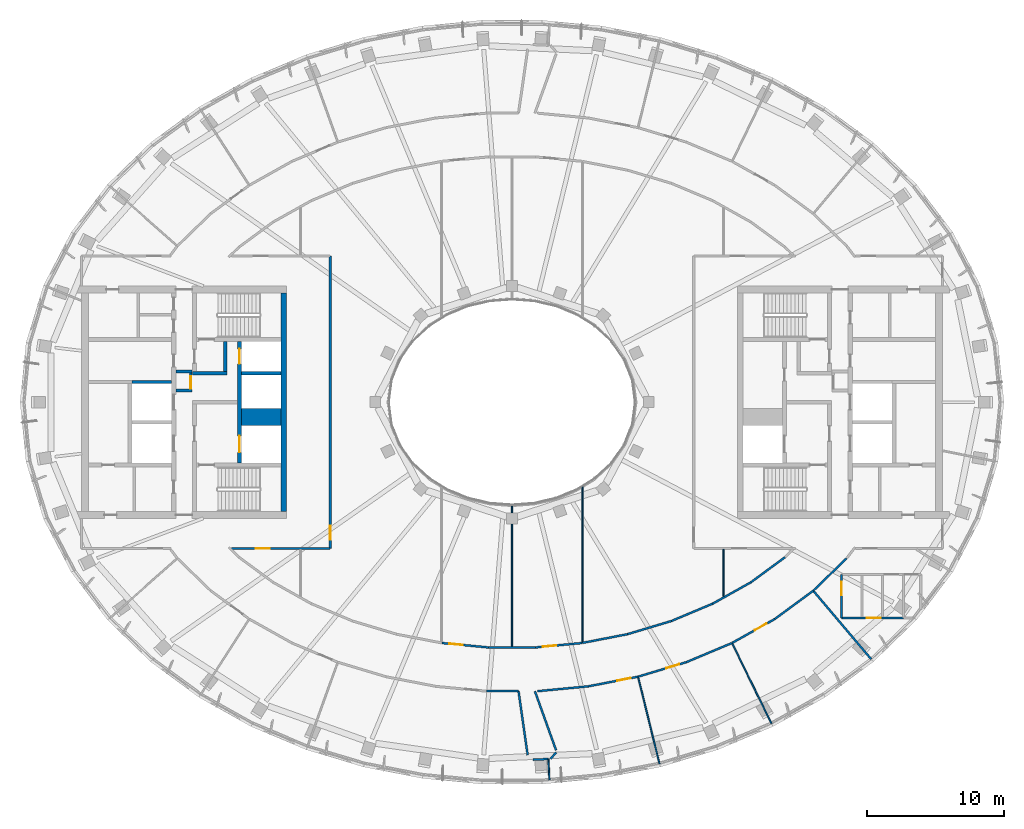
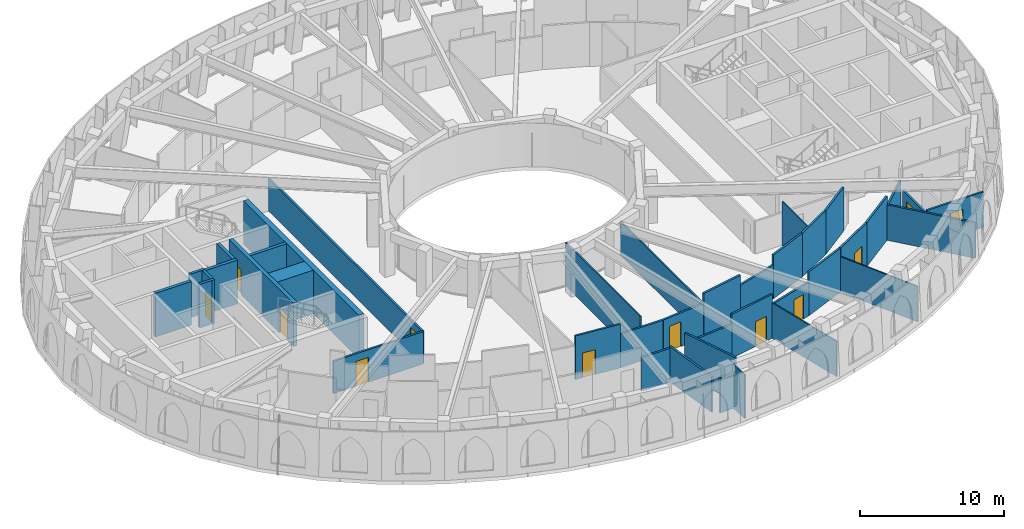
# One storey, part 4 of 15: 41 walls, 12 doors, 12 openings.
"""IFC4 building model written with IfcOpenShell, lengths in metres."""

import ifcopenshell
import ifcopenshell.guid

model = None  # the IFC model being written
_history = None  # IfcOwnerHistory: only IFC2X3 demands one
_inside = {}  # id of a spatial element -> (the spatial element, [elements in it])
_under = {}  # id of a project, library or spatial element -> (it, [spatial elements below it])
_declared = {}  # id of a project -> (the project, [libraries it declares])
_typed = {}  # id of a type object -> (the type object, [elements of that type])
_made_of = {}  # id of a material, layer set ... -> (it, [elements and type objects made of it])


def new_model(schema):
    """Start an empty IFC model of exactly this schema.

    Asked for "IFC4X3", IfcOpenShell would pick the latest addendum, in which some entities
    have other attributes; the version numbers below select the first issue.
    IFC2X3 requires an IfcOwnerHistory on every rooted entity: one is made here for all.
    """
    global model, _history
    if schema == "IFC4X3":
        model = ifcopenshell.file(schema_version=(4, 3, 0, 0))
    else:
        model = ifcopenshell.file(schema=schema)
    _inside.clear()
    _under.clear()
    _declared.clear()
    _typed.clear()
    _made_of.clear()
    _history = None
    if model.schema == "IFC2X3":
        org = make("IfcOrganization", Name="unknown")
        user = make(
            "IfcPersonAndOrganization",
            ThePerson=make("IfcPerson", FamilyName="unknown"),
            TheOrganization=org,
        )
        app = make(
            "IfcApplication",
            ApplicationDeveloper=org,
            Version="unknown",
            ApplicationFullName="unknown",
            ApplicationIdentifier="unknown",
        )
        _history = make(
            "IfcOwnerHistory",
            OwningUser=user,
            OwningApplication=app,
            ChangeAction="ADDED",
            CreationDate=0,
        )
    return model


def make(cls, **values):
    """One entity of the class cls with the attributes given. An attribute that is None is left unset."""
    return model.create_entity(
        cls, **{name: value for name, value in values.items() if value is not None}
    )


def rooted(cls, **values):
    """An entity with a GlobalId (a new one), such as an element, a storey or a relation."""
    return make(cls, GlobalId=ifcopenshell.guid.new(), OwnerHistory=_history, **values)


def si_unit(unit_type, name, prefix=None):
    """IfcSIUnit, for example si_unit("LENGTHUNIT", "METRE", prefix="MILLI")."""
    return make("IfcSIUnit", UnitType=unit_type, Prefix=prefix, Name=name)


def assignment(units):
    """IfcUnitAssignment: the units of a project."""
    return None if units is None else make("IfcUnitAssignment", Units=units)


def point(xyz):
    """IfcCartesianPoint."""
    return None if xyz is None else make("IfcCartesianPoint", Coordinates=xyz)


def direction(xyz):
    """IfcDirection."""
    return None if xyz is None else make("IfcDirection", DirectionRatios=xyz)


def frame(location, z_axis=None, x_axis=None):
    """IfcAxis2Placement3D, a coordinate frame: its origin and axes. An axis left out is left unset."""
    return make(
        "IfcAxis2Placement3D",
        Location=point(location),
        Axis=direction(z_axis),
        RefDirection=direction(x_axis),
    )


def frame_2d(location, x_axis=None):
    """IfcAxis2Placement2D, a coordinate frame in the plane: its origin and x axis."""
    return make(
        "IfcAxis2Placement2D", Location=point(location), RefDirection=direction(x_axis)
    )


def origin():
    """The frame at (0, 0, 0) with its axes left unset."""
    return frame((0.0, 0.0, 0.0))


def place(relative_to, where):
    """IfcLocalPlacement: puts the frame where relative to a parent placement (None: the world)."""
    return make(
        "IfcLocalPlacement", PlacementRelTo=relative_to, RelativePlacement=where
    )


def context(
    kind, dimensions, precision=None, world=None, true_north=None, identifier=None
):
    """IfcGeometricRepresentationContext, for example the 3D "Model" context."""
    return make(
        "IfcGeometricRepresentationContext",
        ContextIdentifier=identifier,
        ContextType=kind,
        CoordinateSpaceDimension=dimensions,
        Precision=precision,
        WorldCoordinateSystem=world,
        TrueNorth=true_north,
    )


def subcontext(parent, identifier, kind, view, scale=None):
    """IfcGeometricRepresentationSubContext, for example "Body" below "Model"."""
    return make(
        "IfcGeometricRepresentationSubContext",
        ContextIdentifier=identifier,
        ContextType=kind,
        ParentContext=parent,
        TargetScale=scale,
        TargetView=view,
    )


def project(units=None, contexts=None):
    """IfcProject with its units and contexts."""
    return rooted(
        "IfcProject",
        Name="project",
        RepresentationContexts=contexts,
        UnitsInContext=assignment(units),
    )


def spatial(cls, under=None, at=None, **own):
    """A site, building, storey or space (cls), placed at a placement, below another one or the project."""
    s = rooted(cls, ObjectPlacement=at, **own)
    if under is not None:
        _under.setdefault(under.id(), (under, []))[1].append(s)
    return s


def profile(cls, at=None, kind="AREA", **sizes):
    """A parametric profile (cls). Its sizes go by their IFC names, for example OverallWidth=200.0."""
    return make(cls, ProfileType=kind, Position=at, **sizes)


def rectangle(**sizes):
    """IfcRectangleProfileDef."""
    return profile("IfcRectangleProfileDef", **sizes)


def extrude(swept, where, along, depth):
    """IfcExtrudedAreaSolid: the profile swept, set in the frame where, extruded along a direction by depth."""
    return make(
        "IfcExtrudedAreaSolid",
        SweptArea=swept,
        Position=where,
        ExtrudedDirection=direction(along),
        Depth=depth,
    )


def shape(context_of_items, identifier, shape_type, items):
    """IfcShapeRepresentation: the items that make up one representation, for example the "Body"."""
    return make(
        "IfcShapeRepresentation",
        ContextOfItems=context_of_items,
        RepresentationIdentifier=identifier,
        RepresentationType=shape_type,
        Items=items,
    )


def material(Name=None, Category=None):
    """IfcMaterial."""
    return make("IfcMaterial", Name=Name, Category=Category)


def layer(
    of_material, thickness, ventilated=None, Name=None, Category=None, Priority=None
):
    """IfcMaterialLayer: one layer of a wall or slab, of a material (None: an air gap)."""
    return make(
        "IfcMaterialLayer",
        Material=of_material,
        LayerThickness=thickness,
        IsVentilated=ventilated,
        Name=Name,
        Category=Category,
        Priority=Priority,
    )


def layer_set(layers, Name=None):
    """IfcMaterialLayerSet."""
    return make("IfcMaterialLayerSet", MaterialLayers=layers, LayerSetName=Name)


def made_of(thing, what):
    """Note that an element or type object is made of a material, layer set ...; save() writes the relation."""
    if what is not None:
        _made_of.setdefault(what.id(), (what, []))[1].append(thing)
    return thing


def type_object(cls, material=None, **own):
    """A type object (cls), such as IfcWallType, which elements share."""
    return made_of(rooted(cls, **own), material)


def element(
    cls,
    number,
    at=None,
    inside=None,
    cuts=None,
    type_object=None,
    material=None,
    context=None,
    identifier="Body",
    shape_type=None,
    held_by="IfcProductDefinitionShape",
    body=None,
    shapes=None,
    **own,
):
    """One element of the class cls, such as IfcWall. Its Tag is "e" and its number.

    at: its placement. inside: the storey or other place that contains it. cuts: it is an
    opening in that element (IfcRelVoidsElement). A single representation is given by context,
    identifier, shape_type and body (its items); several are given by shapes. held_by: the class
    of the entity that holds the representations. save() writes the other relations.
    """
    e = rooted(cls, Tag="e%d" % number, ObjectPlacement=at, **own)
    if body is not None:
        shapes = [shape(context, identifier, shape_type, body)]
    if shapes is not None:
        e.Representation = make(held_by, Representations=shapes)
    if inside is not None:
        _inside.setdefault(inside.id(), (inside, []))[1].append(e)
    if cuts is not None:
        rooted(
            "IfcRelVoidsElement", RelatingBuildingElement=cuts, RelatedOpeningElement=e
        )
    if type_object is not None:
        _typed.setdefault(type_object.id(), (type_object, []))[1].append(e)
    return made_of(e, material)


def fill(opening, filler):
    """IfcRelFillsElement: the door or window that sits in an opening."""
    return rooted(
        "IfcRelFillsElement",
        RelatingOpeningElement=opening,
        RelatedBuildingElement=filler,
    )


def aggregate(whole, parts):
    """IfcRelAggregates: a whole, such as a stair, and the parts it consists of."""
    return rooted("IfcRelAggregates", RelatingObject=whole, RelatedObjects=parts)


def save(model, path):
    """Write the relations noted so far, then the file.

    IfcRelAggregates (storeys below a building ...), IfcRelContainedInSpatialStructure (elements
    in a storey), IfcRelDefinesByType, IfcRelAssociatesMaterial and IfcRelDeclares: one each for
    every whole, place, type object, material and project.
    """
    for whole, parts in _under.values():
        aggregate(whole, parts)
    for where, things in _inside.values():
        rooted(
            "IfcRelContainedInSpatialStructure",
            RelatedElements=things,
            RelatingStructure=where,
        )
    for kind, things in _typed.values():
        rooted("IfcRelDefinesByType", RelatedObjects=things, RelatingType=kind)
    for what, things in _made_of.values():
        rooted("IfcRelAssociatesMaterial", RelatedObjects=things, RelatingMaterial=what)
    for by, libraries in _declared.values():
        rooted("IfcRelDeclares", RelatingContext=by, RelatedDefinitions=libraries)
    model.write(path)


model = new_model("IFC4")

# Units and contexts
model_context = context("Model", 3, precision=1e-05, world=origin(), true_north=direction((0.0, 1.0)))
body_context = subcontext(model_context, "Body", "Model", "MODEL_VIEW")
ifc_project = project(units=[si_unit("LENGTHUNIT", "METRE"), si_unit("AREAUNIT", "SQUARE_METRE"), si_unit("VOLUMEUNIT", "CUBIC_METRE"), si_unit("PLANEANGLEUNIT", "RADIAN"), si_unit("MASSUNIT", "GRAM", prefix="KILO")], contexts=[model_context])

# Site, building, storey
site_placement = place(None, origin())
site = spatial("IfcSite", under=ifc_project, at=site_placement, CompositionType="ELEMENT")
building_placement = place(site_placement, origin())
building = spatial("IfcBuilding", under=site, at=building_placement, Name="Noorbagh Ring Tower", CompositionType="ELEMENT")
storey_placement = place(building_placement, frame((0.0, 0.0, 331.0)))
storey = spatial("IfcBuildingStorey", under=building, at=storey_placement, Name="L72", CompositionType="ELEMENT", Elevation=331.0)

# Walls
ifc_material_1 = material(Name="Gypsum board on steel studs", Category="steel")
ifc_layer_1 = layer(ifc_material_1, 0.199951171875)
ifc_layer_set_1 = layer_set([ifc_layer_1], Name="Gypsum board on steel studs")
wall_type_1 = type_object("IfcWallType", Name="CORE-PARTITION-200", PredefinedType="PARTITIONING", material=ifc_layer_set_1)
for number, where, z_axis, x_axis, name in (
    (1, (-23.39990234375, 0.85009765625, 0.0), (0.0, 0.0, 1.0), (-1.0, 0.0, 0.0), "Core partition W"),
    (2, (-23.39990234375, 2.25, 0.0), (0.0, 0.0, 1.0), (-1.0, 0.0, 0.0), "Core partition W"),
):
    element("IfcWall", number, at=place(storey_placement, frame(where, z_axis=z_axis, x_axis=x_axis)), inside=storey, type_object=wall_type_1, Name=name, PredefinedType="PARTITIONING", context=body_context, shape_type="SweptSolid", body=[
        extrude(rectangle(XDim=1.2001953125, YDim=0.199951171875, at=frame_2d((0.60009765625, 0.0))), origin(), (0.0, 0.0, 1.0), 3.699951171875),
    ])

# Wall, opening, door
wall_1_placement = place(storey_placement, frame((-23.5, 0.75, 0.0), z_axis=(0.0, 0.0, 1.0), x_axis=(0.0, 1.0, 0.0)))
wall_1 = element("IfcWall", 3, at=wall_1_placement, inside=storey, type_object=wall_type_1, Name="Core partition W", PredefinedType="PARTITIONING", context=body_context, shape_type="SweptSolid", body=[
    extrude(rectangle(XDim=1.60009765625, YDim=0.199951171875, at=frame_2d((0.800048828125, 0.0))), origin(), (0.0, 0.0, 1.0), 3.699951171875),
])
opening_1_placement = place(wall_1_placement, frame((0.25, 0.0, 0.0)))
opening_1 = element("IfcOpeningElement", 4, at=opening_1_placement, cuts=wall_1, Name="Opening L72-CW17", PredefinedType="OPENING", context=body_context, shape_type="SweptSolid", body=[
    extrude(rectangle(XDim=0.89990234375, YDim=2.10009765625, at=frame_2d((0.449951171875, 1.050048828125))), frame((0.0, 0.10986328125, 0.0), z_axis=(0.0, -1.0, 0.0), x_axis=(1.0, 0.0, 0.0)), (0.0, 0.0, 1.0), 0.219970703125),
])
ifc_material_2 = material(Name="Steel door leaf", Category="steel")
door_type_1 = type_object("IfcDoorType", Name="CORE-DOOR-DROOM", OperationType="SINGLE_SWING_LEFT", PredefinedType="DOOR", material=ifc_material_2)
door_1_placement = place(opening_1_placement, origin())
door_1 = element("IfcDoor", 5, at=door_1_placement, inside=storey, type_object=door_type_1, Name="Core room door L72-CW17", OperationType="SINGLE_SWING_RIGHT", OverallHeight=2.10009765625, OverallWidth=0.89990234375, PredefinedType="DOOR", context=body_context, shape_type="SweptSolid", body=[
    extrude(rectangle(XDim=0.89990234375, YDim=2.10009765625, at=frame_2d((0.449951171875, 1.050048828125))), frame((0.0, 0.02490234375, 0.0), z_axis=(0.0, -1.0, 0.0), x_axis=(1.0, 0.0, 0.0)), (0.0, 0.0, 1.0), 0.050048828125),
])
fill(opening_1, door_1)

# Walls
ifc_material_3 = material(Name="Concrete C50/60", Category="concrete")
ifc_layer_2 = layer(ifc_material_3, 1.25)
ifc_layer_set_2 = layer_set([ifc_layer_2], Name="Concrete C50/60")
wall_type_2 = type_object("IfcWallType", Name="CORE-WALL-1250-C50-60-EI120", PredefinedType="SHEAR", material=ifc_layer_set_2)
wall_2_placement = place(storey_placement, frame((-16.89990234375, -1.074951171875, 0.0), z_axis=(0.0, 0.0, 1.0), x_axis=(-1.0, 0.0, 0.0)))
element("IfcWall", 6, at=wall_2_placement, inside=storey, type_object=wall_type_2, Name="Core wall W", PredefinedType="SHEAR", context=body_context, shape_type="SweptSolid", body=[
    extrude(rectangle(XDim=2.900146484375, YDim=1.25, at=frame_2d((1.4501953125, 0.0))), origin(), (0.0, 0.0, 1.0), 3.699951171875),
])
ifc_material_4 = material(Name="Concrete C50/60", Category="concrete")
ifc_layer_3 = layer(ifc_material_4, 0.25)
ifc_layer_set_3 = layer_set([ifc_layer_3], Name="Concrete C50/60")
wall_type_3 = type_object("IfcWallType", Name="CORE-WALL-250-C50-60-EI120", PredefinedType="SHEAR", material=ifc_layer_set_3)
for number, where, z_axis, x_axis, name in (
    (7, (-16.89990234375, 2.125, 0.0), (0.0, 0.0, 1.0), (-1.0, 0.0, 0.0), "Core wall W"),
    (8, (-24.89990234375, 1.47509765625, 0.0), (0.0, 0.0, 1.0), (-1.0, 0.0, 0.0), "Core wall W"),
):
    element("IfcWall", number, at=place(storey_placement, frame(where, z_axis=z_axis, x_axis=x_axis)), inside=storey, type_object=wall_type_3, Name=name, PredefinedType="SHEAR", context=body_context, shape_type="SweptSolid", body=[
        extrude(rectangle(XDim=2.900146484375, YDim=0.25, at=frame_2d((1.4501953125, 0.0))), origin(), (0.0, 0.0, 1.0), 3.699951171875),
    ])
ifc_material_5 = material(Name="Concrete C50/60", Category="concrete")
ifc_layer_4 = layer(ifc_material_5, 0.25)
ifc_layer_set_4 = layer_set([ifc_layer_4], Name="Concrete C50/60")
wall_type_4 = type_object("IfcWallType", Name="CORE-WALL-250-C50-60-EI240", PredefinedType="SHEAR", material=ifc_layer_set_4)
wall_3_placement = place(storey_placement, frame((-20.85009765625, 2.125, 0.0), z_axis=(0.0, 0.0, 1.0), x_axis=(-1.0, 0.0, 0.0)))
element("IfcWall", 9, at=wall_3_placement, inside=storey, type_object=wall_type_4, Name="Core wall W", PredefinedType="SHEAR", context=body_context, shape_type="SweptSolid", body=[
    extrude(rectangle(XDim=2.52978515625, YDim=0.25, at=frame_2d((1.264892578125, 0.0))), origin(), (0.0, 0.0, 1.0), 3.699951171875),
])
wall_4_placement = place(storey_placement, frame((-20.97509765625, 2.25, 0.0), z_axis=(0.0, 0.0, 1.0), x_axis=(0.0, 1.0, 0.0)))
element("IfcWall", 10, at=wall_4_placement, inside=storey, type_object=wall_type_4, Name="Core wall W", PredefinedType="SHEAR", context=body_context, shape_type="SweptSolid", body=[
    extrude(rectangle(XDim=2.199951171875, YDim=0.25, at=frame_2d((1.10009765625, 0.0))), origin(), (0.0, 0.0, 1.0), 3.699951171875),
])

# Wall, openings, doors
ifc_material_6 = material(Name="Concrete C50/60", Category="concrete")
ifc_layer_5 = layer(ifc_material_6, 0.300048828125)
ifc_layer_set_5 = layer_set([ifc_layer_5], Name="Concrete C50/60")
wall_type_5 = type_object("IfcWallType", Name="CORE-WALL-300-C50-60-EI120", PredefinedType="SHEAR", material=ifc_layer_set_5)
wall_5_placement = place(storey_placement, frame((-19.949951171875, -4.449951171875, 0.0), z_axis=(0.0, 0.0, 1.0), x_axis=(0.0, 1.0, 0.0)))
wall_5 = element("IfcWall", 11, at=wall_5_placement, inside=storey, type_object=wall_type_5, Name="Core wall W", PredefinedType="SHEAR", context=body_context, shape_type="SweptSolid", body=[
    extrude(rectangle(XDim=8.89990234375, YDim=0.300048828125, at=frame_2d((4.449951171875, 0.0))), origin(), (0.0, 0.0, 1.0), 3.699951171875),
])
opening_2_placement = place(wall_5_placement, frame((0.77490234375, 0.0, 0.0)))
opening_2 = element("IfcOpeningElement", 12, at=opening_2_placement, cuts=wall_5, Name="Opening L72-CW01", PredefinedType="OPENING", context=body_context, shape_type="SweptSolid", body=[
    extrude(rectangle(XDim=1.199951171875, YDim=2.10009765625, at=frame_2d((0.60009765625, 1.050048828125))), frame((0.0, 0.16015625, 0.0), z_axis=(0.0, -1.0, 0.0), x_axis=(1.0, 0.0, 0.0)), (0.0, 0.0, 1.0), 0.320068359375),
])
opening_3_placement = place(wall_5_placement, frame((7.25, 0.0, 0.0)))
opening_3 = element("IfcOpeningElement", 13, at=opening_3_placement, cuts=wall_5, Name="Opening L72-CW02", PredefinedType="OPENING", context=body_context, shape_type="SweptSolid", body=[
    extrude(rectangle(XDim=1.10009765625, YDim=2.10009765625, at=frame_2d((0.550048828125, 1.050048828125))), frame((0.0, 0.16015625, 0.0), z_axis=(0.0, -1.0, 0.0), x_axis=(1.0, 0.0, 0.0)), (0.0, 0.0, 1.0), 0.320068359375),
])
ifc_material_7 = material(Name="Steel door leaf", Category="steel")
door_type_2 = type_object("IfcDoorType", Name="CORE-DOOR-LD", OperationType="DOUBLE_DOOR_SLIDING", PredefinedType="DOOR", material=ifc_material_7)
door_2_placement = place(opening_3_placement, origin())
door_2 = element("IfcDoor", 14, at=door_2_placement, inside=storey, type_object=door_type_2, Name="Landing door HR1 L72-CW02", OperationType="DOUBLE_DOOR_SLIDING", OverallHeight=2.10009765625, OverallWidth=1.10009765625, PredefinedType="DOOR", context=body_context, shape_type="SweptSolid", body=[
    extrude(rectangle(XDim=1.10009765625, YDim=2.10009765625, at=frame_2d((0.550048828125, 1.050048828125))), frame((0.0, 0.02490234375, 0.0), z_axis=(0.0, -1.0, 0.0), x_axis=(1.0, 0.0, 0.0)), (0.0, 0.0, 1.0), 0.050048828125),
])
fill(opening_3, door_2)
ifc_material_8 = material(Name="Steel door leaf", Category="steel")
door_type_3 = type_object("IfcDoorType", Name="CORE-DOOR-LDW", OperationType="DOUBLE_DOOR_SLIDING", PredefinedType="DOOR", material=ifc_material_8)
door_3_placement = place(opening_2_placement, origin())
door_3 = element("IfcDoor", 15, at=door_3_placement, inside=storey, type_object=door_type_3, Name="Landing door FF1 L72-CW01", OperationType="DOUBLE_DOOR_SLIDING", OverallHeight=2.10009765625, OverallWidth=1.199951171875, PredefinedType="DOOR", context=body_context, shape_type="SweptSolid", body=[
    extrude(rectangle(XDim=1.199951171875, YDim=2.10009765625, at=frame_2d((0.60009765625, 1.050048828125))), frame((0.0, 0.02490234375, 0.0), z_axis=(0.0, -1.0, 0.0), x_axis=(1.0, 0.0, 0.0)), (0.0, 0.0, 1.0), 0.050048828125),
])
fill(opening_2, door_3)

# Wall
ifc_material_9 = material(Name="Concrete C50/60", Category="concrete")
ifc_layer_6 = layer(ifc_material_9, 0.39990234375)
ifc_layer_set_6 = layer_set([ifc_layer_6], Name="Concrete C50/60")
wall_type_6 = type_object("IfcWallType", Name="CORE-WALL-400-C50-60-EI240", PredefinedType="SHEAR", material=ifc_layer_set_6)
wall_6_placement = place(storey_placement, frame((-16.699951171875, -8.0, 0.0), z_axis=(0.0, 0.0, 1.0), x_axis=(0.0, 1.0, 0.0)))
element("IfcWall", 16, at=wall_6_placement, inside=storey, type_object=wall_type_6, Name="Core wall W", PredefinedType="SHEAR", context=body_context, shape_type="SweptSolid", body=[
    extrude(rectangle(XDim=16.0, YDim=0.39990234375, at=frame_2d((8.0, 0.0))), origin(), (0.0, 0.0, 1.0), 3.699951171875),
])

# Wall, opening, door
ifc_material_10 = material(Name="Gypsum board on steel studs", Category="steel")
ifc_layer_7 = layer(ifc_material_10, 0.14990234375)
ifc_layer_set_7 = layer_set([ifc_layer_7], Name="Gypsum board on steel studs")
wall_type_7 = type_object("IfcWallType", Name="CORRIDOR PARTITION 150 EI 30", PredefinedType="PARTITIONING", material=ifc_layer_set_7)
wall_7_placement = place(storey_placement, frame((-20.531982421875, -10.699951171875, 0.0), z_axis=(0.0, 0.0, 1.0), x_axis=(1.0, 0.0, 0.0)))
wall_7 = element("IfcWall", 17, at=wall_7_placement, inside=storey, type_object=wall_type_7, Name="L72/wall/P17", PredefinedType="PARTITIONING", context=body_context, shape_type="SweptSolid", body=[
    extrude(rectangle(XDim=7.23193359375, YDim=0.14990234375, at=frame_2d((3.615966796875, 0.0))), origin(), (0.0, 0.0, 1.0), 2.75),
])
opening_4_placement = place(wall_7_placement, frame((1.7919921875, 0.0, 0.0)))
opening_4 = element("IfcOpeningElement", 18, at=opening_4_placement, cuts=wall_7, Name="Opening D1", PredefinedType="OPENING", context=body_context, shape_type="SweptSolid", body=[
    extrude(rectangle(XDim=1.0, YDim=2.10009765625, at=frame_2d((0.5, 1.050048828125))), frame((0.0, 0.0849609375, 0.0), z_axis=(0.0, -1.0, 0.0), x_axis=(1.0, 0.0, 0.0)), (0.0, 0.0, 1.0), 0.169921875),
])
ifc_material_11 = material(Name="Timber, painted", Category="wood")
door_type_4 = type_object("IfcDoorType", Name="DOOR 1000 X 2100 FD30", OperationType="SINGLE_SWING_LEFT", PredefinedType="DOOR", material=ifc_material_11)
door_4_placement = place(opening_4_placement, origin())
door_4 = element("IfcDoor", 19, at=door_4_placement, inside=storey, type_object=door_type_4, Name="L72-D23", OperationType="SINGLE_SWING_LEFT", OverallHeight=2.10009765625, OverallWidth=1.0, PredefinedType="DOOR", context=body_context, shape_type="SweptSolid", body=[
    extrude(rectangle(XDim=1.0, YDim=2.10009765625, at=frame_2d((0.5, 1.050048828125))), frame((0.0, 0.02490234375, 0.0), z_axis=(0.0, -1.0, 0.0), x_axis=(1.0, 0.0, 0.0)), (0.0, 0.0, 1.0), 0.050048828125),
])
fill(opening_4, door_4)

wall_8_placement = place(storey_placement, frame((-13.300048828125, -10.699951171875, 0.0), z_axis=(0.0, 0.0, 1.0), x_axis=(0.0, 1.0, 0.0)))
wall_8 = element("IfcWall", 20, at=wall_8_placement, inside=storey, type_object=wall_type_7, Name="L72/wall/P34", PredefinedType="PARTITIONING", context=body_context, shape_type="SweptSolid", body=[
    extrude(rectangle(XDim=21.39990234375, YDim=0.14990234375, at=frame_2d((10.699951171875, 0.0))), origin(), (0.0, 0.0, 1.0), 2.75),
])
opening_5_placement = place(wall_8_placement, frame((0.64990234375, 0.0, 0.0)))
opening_5 = element("IfcOpeningElement", 21, at=opening_5_placement, cuts=wall_8, Name="Opening D1", PredefinedType="OPENING", context=body_context, shape_type="SweptSolid", body=[
    extrude(rectangle(XDim=1.0, YDim=2.10009765625, at=frame_2d((0.5, 1.050048828125))), frame((0.0, 0.0849609375, 0.0), z_axis=(0.0, -1.0, 0.0), x_axis=(1.0, 0.0, 0.0)), (0.0, 0.0, 1.0), 0.169921875),
])
door_5_placement = place(opening_5_placement, origin())
door_5 = element("IfcDoor", 22, at=door_5_placement, inside=storey, type_object=door_type_4, Name="L72-D25", OperationType="SINGLE_SWING_LEFT", OverallHeight=2.10009765625, OverallWidth=1.0, PredefinedType="DOOR", context=body_context, shape_type="SweptSolid", body=[
    extrude(rectangle(XDim=1.0, YDim=2.10009765625, at=frame_2d((0.5, 1.050048828125))), frame((0.0, 0.02490234375, 0.0), z_axis=(0.0, -1.0, 0.0), x_axis=(1.0, 0.0, 0.0)), (0.0, 0.0, 1.0), 0.050048828125),
])
fill(opening_5, door_5)

wall_9_placement = place(storey_placement, frame((-5.12109375, -17.623046875, 0.0), z_axis=(0.0, 0.0, 1.0), x_axis=(0.995479744688, -0.094974090759, 0.0)))
wall_9 = element("IfcWall", 23, at=wall_9_placement, inside=storey, type_object=wall_type_7, Name="L72/wall/P47", PredefinedType="PARTITIONING", context=body_context, shape_type="SweptSolid", body=[
    extrude(rectangle(XDim=3.42138671875, YDim=0.14990234375, at=frame_2d((1.710693359375, 0.0))), origin(), (0.0, 0.0, 1.0), 3.699951171875),
])
opening_6_placement = place(wall_9_placement, frame((0.521484375, 0.0, 0.0)))
opening_6 = element("IfcOpeningElement", 24, at=opening_6_placement, cuts=wall_9, Name="Opening D1", PredefinedType="OPENING", context=body_context, shape_type="SweptSolid", body=[
    extrude(rectangle(XDim=1.0, YDim=2.10009765625, at=frame_2d((0.5, 1.050048828125))), frame((0.0, 0.0849609375, 0.0), z_axis=(0.0, -1.0, 0.0), x_axis=(1.0, 0.0, 0.0)), (0.0, 0.0, 1.0), 0.169921875),
])
door_6_placement = place(opening_6_placement, origin())
door_6 = element("IfcDoor", 25, at=door_6_placement, inside=storey, type_object=door_type_4, Name="L72-D26", OperationType="SINGLE_SWING_RIGHT", OverallHeight=2.10009765625, OverallWidth=1.0, PredefinedType="DOOR", context=body_context, shape_type="SweptSolid", body=[
    extrude(rectangle(XDim=1.0, YDim=2.10009765625, at=frame_2d((0.5, 1.050048828125))), frame((0.0, 0.02490234375, 0.0), z_axis=(0.0, -1.0, 0.0), x_axis=(1.0, 0.0, 0.0)), (0.0, 0.0, 1.0), 0.050048828125),
])
fill(opening_6, door_6)

# Walls
wall_10_placement = place(storey_placement, frame((-1.866943359375, -21.14794921875, 0.0), z_axis=(0.0, 0.0, 1.0), x_axis=(1.0, 0.0, 0.0)))
element("IfcWall", 26, at=wall_10_placement, inside=storey, type_object=wall_type_7, Name="L72/wall/P49", PredefinedType="PARTITIONING", context=body_context, shape_type="SweptSolid", body=[
    extrude(rectangle(XDim=2.342041015625, YDim=0.14990234375, at=frame_2d((1.1708984375, 0.0))), origin(), (0.0, 0.0, 1.0), 2.85009765625),
])
wall_11_placement = place(storey_placement, frame((-1.715087890625, -17.947998046875, 0.0), z_axis=(0.0, 0.0, 1.0), x_axis=(1.0, 0.0, 0.0)))
element("IfcWall", 27, at=wall_11_placement, inside=storey, type_object=wall_type_7, Name="L72/wall/P51", PredefinedType="PARTITIONING", context=body_context, shape_type="SweptSolid", body=[
    extrude(rectangle(XDim=3.43017578125, YDim=0.14990234375, at=frame_2d((1.715087890625, 0.0))), origin(), (0.0, 0.0, 1.0), 2.85009765625),
])
wall_12_placement = place(storey_placement, frame((0.47607421875, -21.152099609375, 0.0), z_axis=(0.0, 0.0, 1.0), x_axis=(0.142463390342, -0.98980007194, 0.0)))
element("IfcWall", 28, at=wall_12_placement, inside=storey, type_object=wall_type_7, Name="L72/wall/P55", PredefinedType="PARTITIONING", context=body_context, shape_type="SweptSolid", body=[
    extrude(rectangle(XDim=4.722900390625, YDim=0.14990234375, at=frame_2d((2.361328125, 0.0))), origin(), (0.0, 0.0, 1.0), 3.0),
])
wall_13_placement = place(storey_placement, frame((1.54296875, -26.1630859375, 0.0), z_axis=(0.0, 0.0, 1.0), x_axis=(0.998889164642, 0.047121510593, 0.0)))
element("IfcWall", 29, at=wall_13_placement, inside=storey, type_object=wall_type_7, Name="L72/wall/P57", PredefinedType="PARTITIONING", context=body_context, shape_type="SweptSolid", body=[
    extrude(rectangle(XDim=1.124267578125, YDim=0.14990234375, at=frame_2d((0.56201171875, 0.0))), origin(), (0.0, 0.0, 1.0), 3.0),
])
wall_14_placement = place(storey_placement, frame((1.677001953125, -21.152099609375, 0.0), z_axis=(0.0, 0.0, 1.0), x_axis=(0.337428376961, -0.941351204611, 0.0)))
element("IfcWall", 30, at=wall_14_placement, inside=storey, type_object=wall_type_7, Name="L72/wall/P59", PredefinedType="PARTITIONING", context=body_context, shape_type="SweptSolid", body=[
    extrude(rectangle(XDim=4.587890625, YDim=0.14990234375, at=frame_2d((2.2939453125, 0.0))), origin(), (0.0, 0.0, 1.0), 3.699951171875),
])

# Wall, opening, door
wall_15_placement = place(storey_placement, frame((1.715087890625, -17.947998046875, 0.0), z_axis=(0.0, 0.0, 1.0), x_axis=(0.995479744688, 0.094974090759, 0.0)))
wall_15 = element("IfcWall", 31, at=wall_15_placement, inside=storey, type_object=wall_type_7, Name="L72/wall/P61", PredefinedType="PARTITIONING", context=body_context, shape_type="SweptSolid", body=[
    extrude(rectangle(XDim=3.42138671875, YDim=0.14990234375, at=frame_2d((1.710693359375, 0.0))), origin(), (0.0, 0.0, 1.0), 2.85009765625),
])
opening_7_placement = place(wall_15_placement, frame((0.521484375, 0.0, 0.0)))
opening_7 = element("IfcOpeningElement", 32, at=opening_7_placement, cuts=wall_15, Name="Opening D1", PredefinedType="OPENING", context=body_context, shape_type="SweptSolid", body=[
    extrude(rectangle(XDim=1.0, YDim=2.10009765625, at=frame_2d((0.5, 1.050048828125))), frame((0.0, 0.0849609375, 0.0), z_axis=(0.0, -1.0, 0.0), x_axis=(1.0, 0.0, 0.0)), (0.0, 0.0, 1.0), 0.169921875),
])
door_7_placement = place(opening_7_placement, origin())
door_7 = element("IfcDoor", 33, at=door_7_placement, inside=storey, type_object=door_type_4, Name="L72-D28", OperationType="SINGLE_SWING_RIGHT", OverallHeight=2.10009765625, OverallWidth=1.0, PredefinedType="DOOR", context=body_context, shape_type="SweptSolid", body=[
    extrude(rectangle(XDim=1.0, YDim=2.10009765625, at=frame_2d((0.5, 1.050048828125))), frame((0.0, 0.02490234375, 0.0), z_axis=(0.0, -1.0, 0.0), x_axis=(1.0, 0.0, 0.0)), (0.0, 0.0, 1.0), 0.050048828125),
])
fill(opening_7, door_7)

# Walls
wall_16_placement = place(storey_placement, frame((1.866943359375, -21.14794921875, 0.0), z_axis=(0.0, 0.0, 1.0), x_axis=(0.995483694889, 0.09493267725, 0.0)))
element("IfcWall", 34, at=wall_16_placement, inside=storey, type_object=wall_type_7, Name="L72/wall/P63", PredefinedType="PARTITIONING", context=body_context, shape_type="SweptSolid", body=[
    extrude(rectangle(XDim=3.72900390625, YDim=0.14990234375, at=frame_2d((1.864501953125, 0.0))), origin(), (0.0, 0.0, 1.0), 2.85009765625),
])
wall_17_placement = place(storey_placement, frame((5.159912109375, -17.614990234375, 0.0), z_axis=(0.0, 0.0, 1.0), x_axis=(0.981716325185, 0.190349827592, 0.0)))
element("IfcWall", 35, at=wall_17_placement, inside=storey, type_object=wall_type_7, Name="L72/wall/P67", PredefinedType="PARTITIONING", context=body_context, shape_type="SweptSolid", body=[
    extrude(rectangle(XDim=3.3564453125, YDim=0.14990234375, at=frame_2d((1.67822265625, 0.0))), origin(), (0.0, 0.0, 1.0), 3.699951171875),
])

# Wall, opening, door
wall_18_placement = place(storey_placement, frame((5.5791015625, -20.7939453125, 0.0), z_axis=(0.0, 0.0, 1.0), x_axis=(0.981690282658, 0.190484091027, 0.0)))
wall_18 = element("IfcWall", 36, at=wall_18_placement, inside=storey, type_object=wall_type_7, Name="L72/wall/P71", PredefinedType="PARTITIONING", context=body_context, shape_type="SweptSolid", body=[
    extrude(rectangle(XDim=3.711669921875, YDim=0.14990234375, at=frame_2d((1.85595703125, 0.0))), origin(), (0.0, 0.0, 1.0), 3.699951171875),
])
opening_8_placement = place(wall_18_placement, frame((2.14990234375, 0.0, 0.0)))
opening_8 = element("IfcOpeningElement", 37, at=opening_8_placement, cuts=wall_18, Name="Opening D1", PredefinedType="OPENING", context=body_context, shape_type="SweptSolid", body=[
    extrude(rectangle(XDim=1.0, YDim=2.10009765625, at=frame_2d((0.5, 1.050048828125))), frame((0.0, 0.0849609375, 0.0), z_axis=(0.0, -1.0, 0.0), x_axis=(1.0, 0.0, 0.0)), (0.0, 0.0, 1.0), 0.169921875),
])
door_8_placement = place(opening_8_placement, origin())
door_8 = element("IfcDoor", 38, at=door_8_placement, inside=storey, type_object=door_type_4, Name="L72-D14", OperationType="SINGLE_SWING_RIGHT", OverallHeight=2.10009765625, OverallWidth=1.0, PredefinedType="DOOR", context=body_context, shape_type="SweptSolid", body=[
    extrude(rectangle(XDim=1.0, YDim=2.10009765625, at=frame_2d((0.5, 1.050048828125))), frame((0.0, 0.02490234375, 0.0), z_axis=(0.0, -1.0, 0.0), x_axis=(1.0, 0.0, 0.0)), (0.0, 0.0, 1.0), 0.050048828125),
])
fill(opening_8, door_8)

# Wall
wall_19_placement = place(storey_placement, frame((8.455078125, -16.97607421875, 0.0), z_axis=(0.0, 0.0, 1.0), x_axis=(0.957734013197, 0.287655279747, 0.0)))
element("IfcWall", 39, at=wall_19_placement, inside=storey, type_object=wall_type_7, Name="L72/wall/P73", PredefinedType="PARTITIONING", context=body_context, shape_type="SweptSolid", body=[
    extrude(rectangle(XDim=3.3515625, YDim=0.14990234375, at=frame_2d((1.67578125, 0.0))), origin(), (0.0, 0.0, 1.0), 2.85009765625),
])

# Wall, opening, door
wall_20_placement = place(storey_placement, frame((9.241943359375, -20.0810546875, 0.0), z_axis=(0.0, 0.0, 1.0), x_axis=(0.957739972899, 0.287635436468, 0.0)))
wall_20 = element("IfcWall", 40, at=wall_20_placement, inside=storey, type_object=wall_type_7, Name="L72/wall/P77", PredefinedType="PARTITIONING", context=body_context, shape_type="SweptSolid", body=[
    extrude(rectangle(XDim=3.660888671875, YDim=0.14990234375, at=frame_2d((1.83056640625, 0.0))), origin(), (0.0, 0.0, 1.0), 2.85009765625),
])
opening_9_placement = place(wall_20_placement, frame((2.130126953125, 0.0, 0.0)))
opening_9 = element("IfcOpeningElement", 41, at=opening_9_placement, cuts=wall_20, Name="Opening D1", PredefinedType="OPENING", context=body_context, shape_type="SweptSolid", body=[
    extrude(rectangle(XDim=1.0, YDim=2.10009765625, at=frame_2d((0.5, 1.050048828125))), frame((0.0, 0.0849609375, 0.0), z_axis=(0.0, -1.0, 0.0), x_axis=(1.0, 0.0, 0.0)), (0.0, 0.0, 1.0), 0.169921875),
])
door_9_placement = place(opening_9_placement, origin())
door_9 = element("IfcDoor", 42, at=door_9_placement, inside=storey, type_object=door_type_4, Name="L72-D16", OperationType="SINGLE_SWING_RIGHT", OverallHeight=2.10009765625, OverallWidth=1.0, PredefinedType="DOOR", context=body_context, shape_type="SweptSolid", body=[
    extrude(rectangle(XDim=1.0, YDim=2.10009765625, at=frame_2d((0.5, 1.050048828125))), frame((0.0, 0.02490234375, 0.0), z_axis=(0.0, -1.0, 0.0), x_axis=(1.0, 0.0, 0.0)), (0.0, 0.0, 1.0), 0.050048828125),
])
fill(opening_9, door_9)

# Walls
wall_21_placement = place(storey_placement, frame((11.6650390625, -16.011962890625, 0.0), z_axis=(0.0, 0.0, 1.0), x_axis=(0.921990059586, 0.387213545766, 0.0)))
element("IfcWall", 43, at=wall_21_placement, inside=storey, type_object=wall_type_7, Name="L72/wall/P79", PredefinedType="PARTITIONING", context=body_context, shape_type="SweptSolid", body=[
    extrude(rectangle(XDim=3.287353515625, YDim=0.14990234375, at=frame_2d((1.6435546875, 0.0))), origin(), (0.0, 0.0, 1.0), 3.699951171875),
])
wall_22_placement = place(storey_placement, frame((12.748046875, -19.028076171875, 0.0), z_axis=(0.0, 0.0, 1.0), x_axis=(0.922035113791, 0.38710625019, 0.0)))
element("IfcWall", 44, at=wall_22_placement, inside=storey, type_object=wall_type_7, Name="L72/wall/P81", PredefinedType="PARTITIONING", context=body_context, shape_type="SweptSolid", body=[
    extrude(rectangle(XDim=3.616943359375, YDim=0.14990234375, at=frame_2d((1.80859375, 0.0))), origin(), (0.0, 0.0, 1.0), 3.699951171875),
])
wall_23_placement = place(storey_placement, frame((14.696044921875, -14.739013671875, 0.0), z_axis=(0.0, 0.0, 1.0), x_axis=(0.87243050092, 0.488738192762, 0.0)))
element("IfcWall", 45, at=wall_23_placement, inside=storey, type_object=wall_type_7, Name="L72/wall/P86", PredefinedType="PARTITIONING", context=body_context, shape_type="SweptSolid", body=[
    extrude(rectangle(XDim=3.197998046875, YDim=0.14990234375, at=frame_2d((1.59912109375, 0.0))), origin(), (0.0, 0.0, 1.0), 3.699951171875),
])

# Wall, opening, door
wall_24_placement = place(storey_placement, frame((16.118896484375, -17.610107421875, 0.0), z_axis=(0.0, 0.0, 1.0), x_axis=(0.872413561988, 0.488768428665, 0.0)))
wall_24 = element("IfcWall", 46, at=wall_24_placement, inside=storey, type_object=wall_type_7, Name="L72/wall/P92", PredefinedType="PARTITIONING", context=body_context, shape_type="SweptSolid", body=[
    extrude(rectangle(XDim=3.557861328125, YDim=0.14990234375, at=frame_2d((1.77880859375, 0.0))), origin(), (0.0, 0.0, 1.0), 3.699951171875),
])
opening_10_placement = place(wall_24_placement, frame((1.88037109375, 0.0, 0.0)))
opening_10 = element("IfcOpeningElement", 47, at=opening_10_placement, cuts=wall_24, Name="Opening D1", PredefinedType="OPENING", context=body_context, shape_type="SweptSolid", body=[
    extrude(rectangle(XDim=1.0, YDim=2.10009765625, at=frame_2d((0.5, 1.050048828125))), frame((0.0, 0.0849609375, 0.0), z_axis=(0.0, -1.0, 0.0), x_axis=(1.0, 0.0, 0.0)), (0.0, 0.0, 1.0), 0.169921875),
])
door_10_placement = place(opening_10_placement, origin())
door_10 = element("IfcDoor", 48, at=door_10_placement, inside=storey, type_object=door_type_4, Name="L72-D18", OperationType="SINGLE_SWING_RIGHT", OverallHeight=2.10009765625, OverallWidth=1.0, PredefinedType="DOOR", context=body_context, shape_type="SweptSolid", body=[
    extrude(rectangle(XDim=1.0, YDim=2.10009765625, at=frame_2d((0.5, 1.050048828125))), frame((0.0, 0.02490234375, 0.0), z_axis=(0.0, -1.0, 0.0), x_axis=(1.0, 0.0, 0.0)), (0.0, 0.0, 1.0), 0.050048828125),
])
fill(opening_10, door_10)

# Walls
wall_25_placement = place(storey_placement, frame((17.486083984375, -13.176025390625, 0.0), z_axis=(0.0, 0.0, 1.0), x_axis=(0.805604364185, 0.592453887156, 0.0)))
element("IfcWall", 49, at=wall_25_placement, inside=storey, type_object=wall_type_7, Name="L72/wall/P94", PredefinedType="PARTITIONING", context=body_context, shape_type="SweptSolid", body=[
    extrude(rectangle(XDim=3.085693359375, YDim=0.14990234375, at=frame_2d((1.54296875, 0.0))), origin(), (0.0, 0.0, 1.0), 3.699951171875),
])
wall_26_placement = place(storey_placement, frame((19.222900390625, -15.87109375, 0.0), z_axis=(0.0, 0.0, 1.0), x_axis=(0.805597165345, 0.592463675838, 0.0)))
element("IfcWall", 50, at=wall_26_placement, inside=storey, type_object=wall_type_7, Name="L72/wall/P96", PredefinedType="PARTITIONING", context=body_context, shape_type="SweptSolid", body=[
    extrude(rectangle(XDim=3.50048828125, YDim=0.14990234375, at=frame_2d((1.750244140625, 0.0))), origin(), (0.0, 0.0, 1.0), 3.699951171875),
])
wall_27_placement = place(storey_placement, frame((22.04296875, -13.797119140625, 0.0), z_axis=(0.0, 0.0, 1.0), x_axis=(0.717739743756, 0.696311467831, 0.0)))
element("IfcWall", 51, at=wall_27_placement, inside=storey, type_object=wall_type_7, Name="L72/wall/P100", PredefinedType="PARTITIONING", context=body_context, shape_type="SweptSolid", body=[
    extrude(rectangle(XDim=3.40673828125, YDim=0.14990234375, at=frame_2d((1.703369140625, 0.0))), origin(), (0.0, 0.0, 1.0), 2.75),
])
wall_28_placement = place(storey_placement, frame((22.0458984375, -13.800048828125, 0.0), z_axis=(0.0, 0.0, 1.0), x_axis=(0.64582212707, -0.763487904414, 0.0)))
element("IfcWall", 52, at=wall_28_placement, inside=storey, type_object=wall_type_7, Name="L72/wall/P102", PredefinedType="PARTITIONING", context=body_context, shape_type="SweptSolid", body=[
    extrude(rectangle(XDim=6.560791015625, YDim=0.14990234375, at=frame_2d((3.2802734375, 0.0))), origin(), (0.0, 0.0, 1.0), 3.0),
])

# Wall, opening, door
wall_29_placement = place(storey_placement, frame((24.10888671875, -15.7958984375, 0.0), z_axis=(0.0, 0.0, 1.0), x_axis=(0.0, 1.0, 0.0)))
wall_29 = element("IfcWall", 53, at=wall_29_placement, inside=storey, type_object=wall_type_7, Name="L72/wall/P104", PredefinedType="PARTITIONING", context=body_context, shape_type="SweptSolid", body=[
    extrude(rectangle(XDim=3.19580078125, YDim=0.14990234375, at=frame_2d((1.597900390625, 0.0))), origin(), (0.0, 0.0, 1.0), 2.75),
])
opening_11_placement = place(wall_29_placement, frame((1.64990234375, 0.0, 0.0)))
opening_11 = element("IfcOpeningElement", 54, at=opening_11_placement, cuts=wall_29, Name="Opening D3", PredefinedType="OPENING", context=body_context, shape_type="SweptSolid", body=[
    extrude(rectangle(XDim=1.0, YDim=2.10009765625, at=frame_2d((0.5, 1.050048828125))), frame((0.0, 0.0849609375, 0.0), z_axis=(0.0, -1.0, 0.0), x_axis=(1.0, 0.0, 0.0)), (0.0, 0.0, 1.0), 0.169921875),
])
ifc_material_12 = material(Name="Timber, painted", Category="wood")
door_type_5 = type_object("IfcDoorType", Name="DOOR 1000 X 2100 WC", OperationType="SINGLE_SWING_LEFT", PredefinedType="DOOR", material=ifc_material_12)
door_11_placement = place(opening_11_placement, origin())
door_11 = element("IfcDoor", 55, at=door_11_placement, inside=storey, type_object=door_type_5, Name="L72-D02", OperationType="SINGLE_SWING_RIGHT", OverallHeight=2.10009765625, OverallWidth=1.0, PredefinedType="DOOR", context=body_context, shape_type="SweptSolid", body=[
    extrude(rectangle(XDim=1.0, YDim=2.10009765625, at=frame_2d((0.5, 1.050048828125))), frame((0.0, 0.02490234375, 0.0), z_axis=(0.0, -1.0, 0.0), x_axis=(1.0, 0.0, 0.0)), (0.0, 0.0, 1.0), 0.050048828125),
])
fill(opening_11, door_11)

wall_30_placement = place(storey_placement, frame((24.113037109375, -15.800048828125, 0.0), z_axis=(0.0, 0.0, 1.0), x_axis=(1.0, 0.0, 0.0)))
wall_30 = element("IfcWall", 56, at=wall_30_placement, inside=storey, type_object=wall_type_7, Name="L72/wall/P106", PredefinedType="PARTITIONING", context=body_context, shape_type="SweptSolid", body=[
    extrude(rectangle(XDim=4.52001953125, YDim=0.14990234375, at=frame_2d((2.260009765625, 0.0))), origin(), (0.0, 0.0, 1.0), 3.0),
])
opening_12_placement = place(wall_30_placement, frame((1.862060546875, 0.0, 0.0)))
opening_12 = element("IfcOpeningElement", 57, at=opening_12_placement, cuts=wall_30, Name="Opening D3", PredefinedType="OPENING", context=body_context, shape_type="SweptSolid", body=[
    extrude(rectangle(XDim=1.0, YDim=2.10009765625, at=frame_2d((0.5, 1.050048828125))), frame((0.0, 0.0849609375, 0.0), z_axis=(0.0, -1.0, 0.0), x_axis=(1.0, 0.0, 0.0)), (0.0, 0.0, 1.0), 0.169921875),
])
door_12_placement = place(opening_12_placement, origin())
door_12 = element("IfcDoor", 58, at=door_12_placement, inside=storey, type_object=door_type_5, Name="L72-D03", OperationType="SINGLE_SWING_LEFT", OverallHeight=2.10009765625, OverallWidth=1.0, PredefinedType="DOOR", context=body_context, shape_type="SweptSolid", body=[
    extrude(rectangle(XDim=1.0, YDim=2.10009765625, at=frame_2d((0.5, 1.050048828125))), frame((0.0, 0.02490234375, 0.0), z_axis=(0.0, -1.0, 0.0), x_axis=(1.0, 0.0, 0.0)), (0.0, 0.0, 1.0), 0.050048828125),
])
fill(opening_12, door_12)

# Walls
wall_31_placement = place(storey_placement, frame((2.81591796875, -26.10498046875, 0.0), z_axis=(0.0, 0.0, 1.0), x_axis=(0.654887076122, 0.755726747924, 0.0)))
element("IfcWall", 59, at=wall_31_placement, inside=storey, type_object=wall_type_7, Name="L72/wall/P123", PredefinedType="PARTITIONING", context=body_context, shape_type="SweptSolid", body=[
    extrude(rectangle(XDim=0.6416015625, YDim=0.14990234375, at=frame_2d((0.32080078125, 0.0))), origin(), (0.0, 0.0, 1.0), 3.0),
])
ifc_material_13 = material(Name="Gypsum board on steel studs", Category="steel")
ifc_layer_8 = layer(ifc_material_13, 0.10009765625)
ifc_layer_set_8 = layer_set([ifc_layer_8], Name="Gypsum board on steel studs")
wall_type_8 = type_object("IfcWallType", Name="PARTITION 100 GYPSUM", PredefinedType="PARTITIONING", material=ifc_layer_set_8)
wall_32_placement = place(storey_placement, frame((0.0, -17.873046875, 0.0), z_axis=(0.0, 0.0, 1.0), x_axis=(0.0, 1.0, 0.0)))
element("IfcWall", 60, at=wall_32_placement, inside=storey, type_object=wall_type_8, Name="L72/wall/P53", PredefinedType="PARTITIONING", context=body_context, shape_type="SweptSolid", body=[
    extrude(rectangle(XDim=10.369140625, YDim=0.10009765625, at=frame_2d((5.1845703125, 0.0))), origin(), (0.0, 0.0, 1.0), 3.699951171875),
])
wall_33_placement = place(storey_placement, frame((2.6640625, -26.112060546875, 0.0), z_axis=(0.0, 0.0, 1.0), x_axis=(0.047565149415, -0.998868137724, 0.0)))
element("IfcWall", 61, at=wall_33_placement, inside=storey, type_object=wall_type_8, Name="L72/wall/P65", PredefinedType="PARTITIONING", context=body_context, shape_type="SweptSolid", body=[
    extrude(rectangle(XDim=1.53466796875, YDim=0.10009765625, at=frame_2d((0.767333984375, 0.0))), origin(), (0.0, 0.0, 1.0), 3.699951171875),
])
wall_34_placement = place(storey_placement, frame((5.159912109375, -17.612060546875, 0.0), z_axis=(0.0, 0.0, 1.0), x_axis=(0.0, 1.0, 0.0)))
element("IfcWall", 62, at=wall_34_placement, inside=storey, type_object=wall_type_8, Name="L72/wall/P68", PredefinedType="PARTITIONING", context=body_context, shape_type="SweptSolid", body=[
    extrude(rectangle(XDim=11.5009765625, YDim=0.10009765625, at=frame_2d((5.75048828125, 0.0))), origin(), (0.0, 0.0, 1.0), 2.85009765625),
])
wall_35_placement = place(storey_placement, frame((9.222900390625, -20.091064453125, 0.0), z_axis=(0.0, 0.0, 1.0), x_axis=(0.23952849615, -0.970889334339, 0.0)))
element("IfcWall", 63, at=wall_35_placement, inside=storey, type_object=wall_type_8, Name="L72/wall/P75", PredefinedType="PARTITIONING", context=body_context, shape_type="SweptSolid", body=[
    extrude(rectangle(XDim=6.554931640625, YDim=0.10009765625, at=frame_2d((3.27734375, 0.0))), origin(), (0.0, 0.0, 1.0), 3.0),
])
wall_36_placement = place(storey_placement, frame((15.47998046875, -14.2099609375, 0.0), z_axis=(0.0, 0.0, 1.0), x_axis=(0.0, 1.0, 0.0)))
element("IfcWall", 64, at=wall_36_placement, inside=storey, type_object=wall_type_8, Name="L72/wall/P88", PredefinedType="PARTITIONING", context=body_context, shape_type="SweptSolid", body=[
    extrude(rectangle(XDim=3.43505859375, YDim=0.10009765625, at=frame_2d((1.717529296875, 0.0))), origin(), (0.0, 0.0, 1.0), 3.699951171875),
])
wall_37_placement = place(storey_placement, frame((16.10400390625, -17.623046875, 0.0), z_axis=(0.0, 0.0, 1.0), x_axis=(0.438658387227, -0.898653892951, 0.0)))
element("IfcWall", 65, at=wall_37_placement, inside=storey, type_object=wall_type_8, Name="L72/wall/P90", PredefinedType="PARTITIONING", context=body_context, shape_type="SweptSolid", body=[
    extrude(rectangle(XDim=6.556396484375, YDim=0.10009765625, at=frame_2d((3.2783203125, 0.0))), origin(), (0.0, 0.0, 1.0), 3.0),
])

save(model, "model.ifc")
